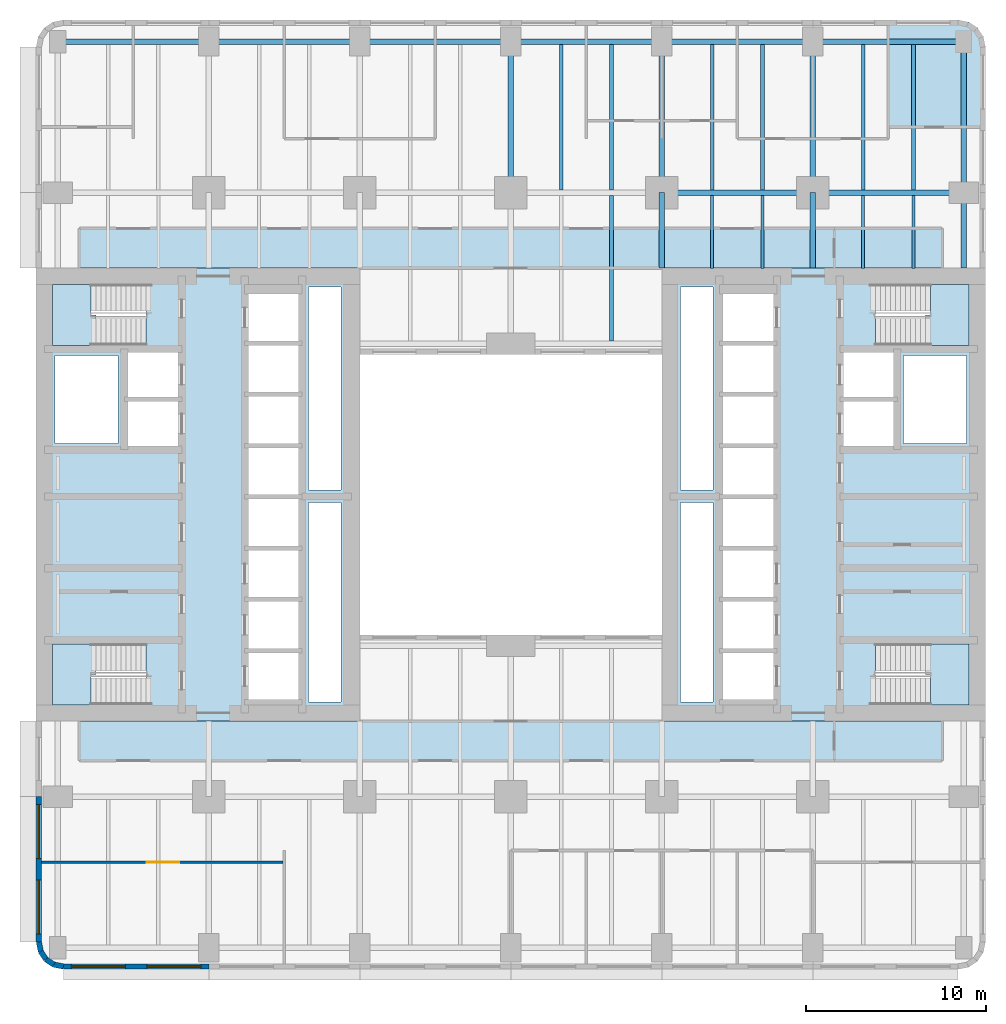
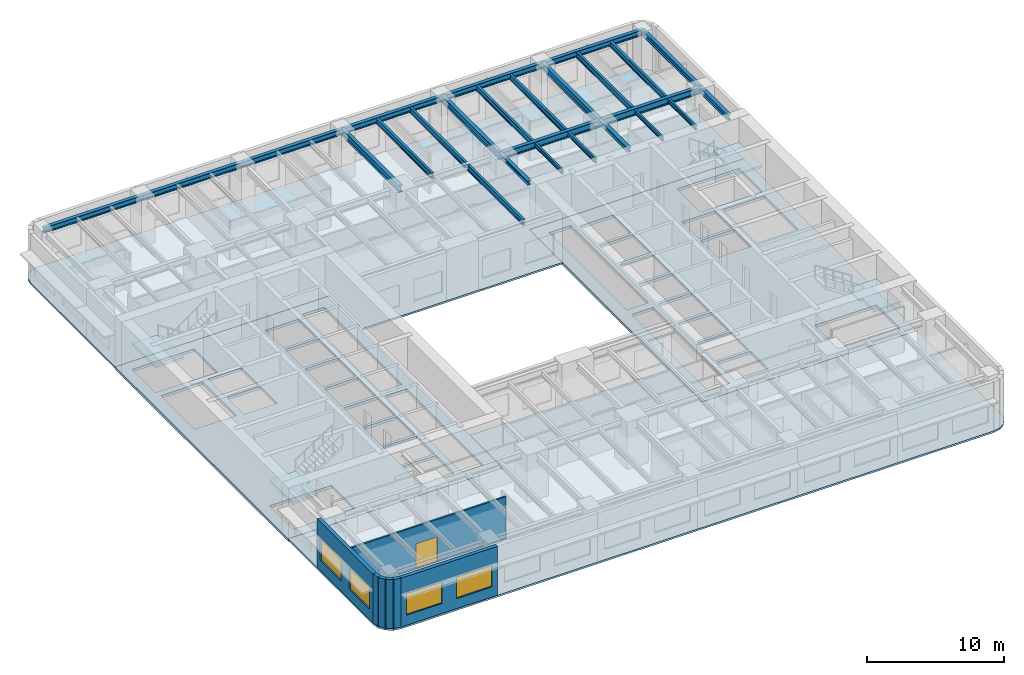
# One storey, part 2 of 14: 26 beams, 8 slabs, 7 walls, 4 windows, 1 door, 5 openings, 4 elements without a shape of their own.
"""IFC4 building model written with IfcOpenShell, lengths in metres."""

import ifcopenshell
import ifcopenshell.guid

model = None  # the IFC model being written
_history = None  # IfcOwnerHistory: only IFC2X3 demands one
_inside = {}  # id of a spatial element -> (the spatial element, [elements in it])
_under = {}  # id of a project, library or spatial element -> (it, [spatial elements below it])
_declared = {}  # id of a project -> (the project, [libraries it declares])
_typed = {}  # id of a type object -> (the type object, [elements of that type])
_made_of = {}  # id of a material, layer set ... -> (it, [elements and type objects made of it])


def new_model(schema):
    """Start an empty IFC model of exactly this schema.

    Asked for "IFC4X3", IfcOpenShell would pick the latest addendum, in which some entities
    have other attributes; the version numbers below select the first issue.
    IFC2X3 requires an IfcOwnerHistory on every rooted entity: one is made here for all.
    """
    global model, _history
    if schema == "IFC4X3":
        model = ifcopenshell.file(schema_version=(4, 3, 0, 0))
    else:
        model = ifcopenshell.file(schema=schema)
    _inside.clear()
    _under.clear()
    _declared.clear()
    _typed.clear()
    _made_of.clear()
    _history = None
    if model.schema == "IFC2X3":
        org = make("IfcOrganization", Name="unknown")
        user = make(
            "IfcPersonAndOrganization",
            ThePerson=make("IfcPerson", FamilyName="unknown"),
            TheOrganization=org,
        )
        app = make(
            "IfcApplication",
            ApplicationDeveloper=org,
            Version="unknown",
            ApplicationFullName="unknown",
            ApplicationIdentifier="unknown",
        )
        _history = make(
            "IfcOwnerHistory",
            OwningUser=user,
            OwningApplication=app,
            ChangeAction="ADDED",
            CreationDate=0,
        )
    return model


def make(cls, **values):
    """One entity of the class cls with the attributes given. An attribute that is None is left unset."""
    return model.create_entity(
        cls, **{name: value for name, value in values.items() if value is not None}
    )


def rooted(cls, **values):
    """An entity with a GlobalId (a new one), such as an element, a storey or a relation."""
    return make(cls, GlobalId=ifcopenshell.guid.new(), OwnerHistory=_history, **values)


def si_unit(unit_type, name, prefix=None):
    """IfcSIUnit, for example si_unit("LENGTHUNIT", "METRE", prefix="MILLI")."""
    return make("IfcSIUnit", UnitType=unit_type, Prefix=prefix, Name=name)


def assignment(units):
    """IfcUnitAssignment: the units of a project."""
    return None if units is None else make("IfcUnitAssignment", Units=units)


def point(xyz):
    """IfcCartesianPoint."""
    return None if xyz is None else make("IfcCartesianPoint", Coordinates=xyz)


def direction(xyz):
    """IfcDirection."""
    return None if xyz is None else make("IfcDirection", DirectionRatios=xyz)


def frame(location, z_axis=None, x_axis=None):
    """IfcAxis2Placement3D, a coordinate frame: its origin and axes. An axis left out is left unset."""
    return make(
        "IfcAxis2Placement3D",
        Location=point(location),
        Axis=direction(z_axis),
        RefDirection=direction(x_axis),
    )


def frame_2d(location, x_axis=None):
    """IfcAxis2Placement2D, a coordinate frame in the plane: its origin and x axis."""
    return make(
        "IfcAxis2Placement2D", Location=point(location), RefDirection=direction(x_axis)
    )


def origin():
    """The frame at (0, 0, 0) with its axes left unset."""
    return frame((0.0, 0.0, 0.0))


def origin_2d():
    """The frame at (0, 0) in the plane with its x axis left unset."""
    return frame_2d((0.0, 0.0))


def place(relative_to, where):
    """IfcLocalPlacement: puts the frame where relative to a parent placement (None: the world)."""
    return make(
        "IfcLocalPlacement", PlacementRelTo=relative_to, RelativePlacement=where
    )


def context(
    kind, dimensions, precision=None, world=None, true_north=None, identifier=None
):
    """IfcGeometricRepresentationContext, for example the 3D "Model" context."""
    return make(
        "IfcGeometricRepresentationContext",
        ContextIdentifier=identifier,
        ContextType=kind,
        CoordinateSpaceDimension=dimensions,
        Precision=precision,
        WorldCoordinateSystem=world,
        TrueNorth=true_north,
    )


def subcontext(parent, identifier, kind, view, scale=None):
    """IfcGeometricRepresentationSubContext, for example "Body" below "Model"."""
    return make(
        "IfcGeometricRepresentationSubContext",
        ContextIdentifier=identifier,
        ContextType=kind,
        ParentContext=parent,
        TargetScale=scale,
        TargetView=view,
    )


def project(units=None, contexts=None):
    """IfcProject with its units and contexts."""
    return rooted(
        "IfcProject",
        Name="project",
        RepresentationContexts=contexts,
        UnitsInContext=assignment(units),
    )


def spatial(cls, under=None, at=None, **own):
    """A site, building, storey or space (cls), placed at a placement, below another one or the project."""
    s = rooted(cls, ObjectPlacement=at, **own)
    if under is not None:
        _under.setdefault(under.id(), (under, []))[1].append(s)
    return s


def polyline(points):
    """IfcPolyline through the points."""
    return make("IfcPolyline", Points=[point(p) for p in points])


def profile(cls, at=None, kind="AREA", **sizes):
    """A parametric profile (cls). Its sizes go by their IFC names, for example OverallWidth=200.0."""
    return make(cls, ProfileType=kind, Position=at, **sizes)


def rectangle(**sizes):
    """IfcRectangleProfileDef."""
    return profile("IfcRectangleProfileDef", **sizes)


def i_section(**sizes):
    """IfcIShapeProfileDef."""
    return profile("IfcIShapeProfileDef", **sizes)


def outline(outer, holes=None, kind="AREA"):
    """IfcArbitraryClosedProfileDef: a profile drawn as a closed curve; with holes, ...WithVoids."""
    if holes is None:
        return make("IfcArbitraryClosedProfileDef", ProfileType=kind, OuterCurve=outer)
    return make(
        "IfcArbitraryProfileDefWithVoids",
        ProfileType=kind,
        OuterCurve=outer,
        InnerCurves=holes,
    )


def extrude(swept, where, along, depth):
    """IfcExtrudedAreaSolid: the profile swept, set in the frame where, extruded along a direction by depth."""
    return make(
        "IfcExtrudedAreaSolid",
        SweptArea=swept,
        Position=where,
        ExtrudedDirection=direction(along),
        Depth=depth,
    )


def shape(context_of_items, identifier, shape_type, items):
    """IfcShapeRepresentation: the items that make up one representation, for example the "Body"."""
    return make(
        "IfcShapeRepresentation",
        ContextOfItems=context_of_items,
        RepresentationIdentifier=identifier,
        RepresentationType=shape_type,
        Items=items,
    )


def material(Name=None, Category=None):
    """IfcMaterial."""
    return make("IfcMaterial", Name=Name, Category=Category)


def layer(
    of_material, thickness, ventilated=None, Name=None, Category=None, Priority=None
):
    """IfcMaterialLayer: one layer of a wall or slab, of a material (None: an air gap)."""
    return make(
        "IfcMaterialLayer",
        Material=of_material,
        LayerThickness=thickness,
        IsVentilated=ventilated,
        Name=Name,
        Category=Category,
        Priority=Priority,
    )


def layer_set(layers, Name=None):
    """IfcMaterialLayerSet."""
    return make("IfcMaterialLayerSet", MaterialLayers=layers, LayerSetName=Name)


def material_profile(
    of_material, cross_section, Name=None, Category=None, Priority=None
):
    """IfcMaterialProfile: a cross section and its material."""
    return make(
        "IfcMaterialProfile",
        Name=Name,
        Material=of_material,
        Profile=cross_section,
        Priority=Priority,
        Category=Category,
    )


def profile_set(profiles, Name=None, composite=None):
    """IfcMaterialProfileSet."""
    return make(
        "IfcMaterialProfileSet",
        Name=Name,
        MaterialProfiles=profiles,
        CompositeProfile=composite,
    )


def made_of(thing, what):
    """Note that an element or type object is made of a material, layer set ...; save() writes the relation."""
    if what is not None:
        _made_of.setdefault(what.id(), (what, []))[1].append(thing)
    return thing


def type_object(cls, material=None, **own):
    """A type object (cls), such as IfcWallType, which elements share."""
    return made_of(rooted(cls, **own), material)


def element(
    cls,
    number,
    at=None,
    inside=None,
    cuts=None,
    type_object=None,
    material=None,
    context=None,
    identifier="Body",
    shape_type=None,
    held_by="IfcProductDefinitionShape",
    body=None,
    shapes=None,
    **own,
):
    """One element of the class cls, such as IfcWall. Its Tag is "e" and its number.

    at: its placement. inside: the storey or other place that contains it. cuts: it is an
    opening in that element (IfcRelVoidsElement). A single representation is given by context,
    identifier, shape_type and body (its items); several are given by shapes. held_by: the class
    of the entity that holds the representations. save() writes the other relations.
    """
    e = rooted(cls, Tag="e%d" % number, ObjectPlacement=at, **own)
    if body is not None:
        shapes = [shape(context, identifier, shape_type, body)]
    if shapes is not None:
        e.Representation = make(held_by, Representations=shapes)
    if inside is not None:
        _inside.setdefault(inside.id(), (inside, []))[1].append(e)
    if cuts is not None:
        rooted(
            "IfcRelVoidsElement", RelatingBuildingElement=cuts, RelatedOpeningElement=e
        )
    if type_object is not None:
        _typed.setdefault(type_object.id(), (type_object, []))[1].append(e)
    return made_of(e, material)


def fill(opening, filler):
    """IfcRelFillsElement: the door or window that sits in an opening."""
    return rooted(
        "IfcRelFillsElement",
        RelatingOpeningElement=opening,
        RelatedBuildingElement=filler,
    )


def aggregate(whole, parts):
    """IfcRelAggregates: a whole, such as a stair, and the parts it consists of."""
    return rooted("IfcRelAggregates", RelatingObject=whole, RelatedObjects=parts)


def save(model, path):
    """Write the relations noted so far, then the file.

    IfcRelAggregates (storeys below a building ...), IfcRelContainedInSpatialStructure (elements
    in a storey), IfcRelDefinesByType, IfcRelAssociatesMaterial and IfcRelDeclares: one each for
    every whole, place, type object, material and project.
    """
    for whole, parts in _under.values():
        aggregate(whole, parts)
    for where, things in _inside.values():
        rooted(
            "IfcRelContainedInSpatialStructure",
            RelatedElements=things,
            RelatingStructure=where,
        )
    for kind, things in _typed.values():
        rooted("IfcRelDefinesByType", RelatedObjects=things, RelatingType=kind)
    for what, things in _made_of.values():
        rooted("IfcRelAssociatesMaterial", RelatedObjects=things, RelatingMaterial=what)
    for by, libraries in _declared.values():
        rooted("IfcRelDeclares", RelatingContext=by, RelatedDefinitions=libraries)
    model.write(path)


model = new_model("IFC4")

# Units and contexts
model_context = context("Model", 3, precision=1e-05, world=origin(), true_north=direction((0.0, 1.0)))
body_context = subcontext(model_context, "Body", "Model", "MODEL_VIEW")
ifc_project = project(units=[si_unit("LENGTHUNIT", "METRE"), si_unit("AREAUNIT", "SQUARE_METRE"), si_unit("VOLUMEUNIT", "CUBIC_METRE"), si_unit("PLANEANGLEUNIT", "RADIAN"), si_unit("MASSUNIT", "GRAM", prefix="KILO")], contexts=[model_context])

# Site, building, storey
site_placement = place(None, origin())
site = spatial("IfcSite", under=ifc_project, at=site_placement, CompositionType="ELEMENT")
building_placement = place(site_placement, origin())
building = spatial("IfcBuilding", under=site, at=building_placement, Name="Claustro Exchange Tower", CompositionType="ELEMENT")
storey_placement = place(building_placement, frame((0.0, 0.0, 36.89990234375)))
storey = spatial("IfcBuildingStorey", under=building, at=storey_placement, Name="L08", CompositionType="ELEMENT", Elevation=36.89990234375)

# Beams
ifc_material_1 = material(Name="Steel S355", Category="steel")
ifc_material_profile_1 = material_profile(ifc_material_1, i_section(OverallWidth=0.300048828125, OverallDepth=0.60009765625, WebThickness=0.015380859375, FlangeThickness=0.030029296875, FilletRadius=0.027099609375, at=origin_2d()), Name="HE 600 B")
ifc_profile_set_1 = profile_set([ifc_material_profile_1], Name="Steel S355")
beam_type_1 = type_object("IfcBeamType", Name="B1 HE 600 B floor girder", PredefinedType="BEAM", material=ifc_profile_set_1)
for number, where, z_axis, x_axis, name in (
    (1, (25.199951171875, 42.0, 4.0400390625), (0.0, 1.0, 0.0), (-1.0, 0.0, 0.0), "Beam B1 L09"),
    (2, (33.60009765625, 42.0, 4.0400390625), (0.0, 1.0, 0.0), (-1.0, 0.0, 0.0), "Beam B1 L09"),
    (3, (42.0, 42.0, 4.0400390625), (0.0, 1.0, 0.0), (-1.0, 0.0, 0.0), "Beam B1 L09"),
    (4, (33.60009765625, 42.0, 4.0400390625), (1.0, 0.0, 0.0), (0.0, 1.0, 0.0), "Beam B1 L09"),
    (5, (42.0, 42.0, 4.0400390625), (1.0, 0.0, 0.0), (0.0, 1.0, 0.0), "Beam B1 L09"),
):
    element("IfcBeam", number, at=place(storey_placement, frame(where, z_axis=z_axis, x_axis=x_axis)), inside=storey, type_object=beam_type_1, Name=name, PredefinedType="BEAM", context=body_context, shape_type="SweptSolid", body=[
        extrude(i_section(OverallWidth=0.300048828125, OverallDepth=0.60009765625, WebThickness=0.015380859375, FlangeThickness=0.030029296875, FilletRadius=0.027099609375, at=origin_2d()), origin(), (0.0, 0.0, 1.0), 8.39990234375),
    ])
ifc_material_2 = material(Name="Steel S355", Category="steel")
ifc_material_profile_2 = material_profile(ifc_material_2, i_section(OverallWidth=0.169921875, OverallDepth=0.360107421875, WebThickness=0.008056640625, FlangeThickness=0.0126953125, FilletRadius=0.01806640625, at=origin_2d()), Name="IPE 360")
ifc_profile_set_2 = profile_set([ifc_material_profile_2], Name="Steel S355")
beam_type_2 = type_object("IfcBeamType", Name="B16 IPE 360 short-span beam", PredefinedType="BEAM", material=ifc_profile_set_2)
for number, where, z_axis, x_axis, name in (
    (6, (36.39990234375, 37.7900390625, 4.16015625), (0.0, 1.0, 0.0), (-1.0, 0.0, 0.0), "Beam B16 L09"),
    (7, (39.199951171875, 37.7900390625, 4.16015625), (0.0, 1.0, 0.0), (-1.0, 0.0, 0.0), "Beam B16 L09"),
    (8, (44.800048828125, 37.7900390625, 4.16015625), (0.0, 1.0, 0.0), (-1.0, 0.0, 0.0), "Beam B16 L09"),
    (9, (47.60009765625, 37.7900390625, 4.16015625), (0.0, 1.0, 0.0), (-1.0, 0.0, 0.0), "Beam B16 L09"),
):
    element("IfcBeam", number, at=place(storey_placement, frame(where, z_axis=z_axis, x_axis=x_axis)), inside=storey, type_object=beam_type_2, Name=name, PredefinedType="BEAM", context=body_context, shape_type="SweptSolid", body=[
        extrude(i_section(OverallWidth=0.169921875, OverallDepth=0.360107421875, WebThickness=0.008056640625, FlangeThickness=0.0126953125, FilletRadius=0.01806640625, at=origin_2d()), origin(), (0.0, 0.0, 1.0), 4.06005859375),
    ])
ifc_material_3 = material(Name="Steel S355", Category="steel")
ifc_material_profile_3 = material_profile(ifc_material_3, i_section(OverallWidth=0.199951171875, OverallDepth=0.5, WebThickness=0.01025390625, FlangeThickness=0.01611328125, FilletRadius=0.02099609375, at=origin_2d()), Name="IPE 500")
ifc_profile_set_3 = profile_set([ifc_material_profile_3], Name="Steel S355")
beam_type_3 = type_object("IfcBeamType", Name="B2 IPE 500 secondary beam", PredefinedType="BEAM", material=ifc_profile_set_3)
for number, where, z_axis, x_axis, name in (
    (10, (30.800048828125, 33.75, 4.090087890625), (0.0, 1.0, 0.0), (-1.0, 0.0, 0.0), "Beam B2 L09"),
    (11, (28.0, 42.14990234375, 4.090087890625), (0.0, 1.0, 0.0), (-1.0, 0.0, 0.0), "Beam B2 L09"),
    (12, (30.800048828125, 42.14990234375, 4.090087890625), (0.0, 1.0, 0.0), (-1.0, 0.0, 0.0), "Beam B2 L09"),
    (13, (36.39990234375, 42.14990234375, 4.090087890625), (0.0, 1.0, 0.0), (-1.0, 0.0, 0.0), "Beam B2 L09"),
    (14, (39.199951171875, 42.14990234375, 4.090087890625), (0.0, 1.0, 0.0), (-1.0, 0.0, 0.0), "Beam B2 L09"),
    (15, (44.800048828125, 42.14990234375, 4.090087890625), (0.0, 1.0, 0.0), (-1.0, 0.0, 0.0), "Beam B2 L09"),
    (16, (47.60009765625, 42.14990234375, 4.090087890625), (0.0, 1.0, 0.0), (-1.0, 0.0, 0.0), "Beam B2 L09"),
):
    element("IfcBeam", number, at=place(storey_placement, frame(where, z_axis=z_axis, x_axis=x_axis)), inside=storey, type_object=beam_type_3, Name=name, PredefinedType="BEAM", context=body_context, shape_type="SweptSolid", body=[
        extrude(i_section(OverallWidth=0.199951171875, OverallDepth=0.5, WebThickness=0.01025390625, FlangeThickness=0.01611328125, FilletRadius=0.02099609375, at=origin_2d()), origin(), (0.0, 0.0, 1.0), 8.10009765625),
    ])
ifc_material_4 = material(Name="Steel S355", Category="steel")
ifc_material_profile_4 = material_profile(ifc_material_4, i_section(OverallWidth=0.300048828125, OverallDepth=0.360107421875, WebThickness=0.012451171875, FlangeThickness=0.0224609375, FilletRadius=0.027099609375, at=origin_2d()), Name="HE 360 B")
ifc_profile_set_4 = profile_set([ifc_material_profile_4], Name="Steel S355")
beam_type_4 = type_object("IfcBeamType", Name="B29 HE 360 B column to core link beam", PredefinedType="BEAM", material=ifc_profile_set_4)
for number, where, z_axis, x_axis, name in (
    (17, (33.60009765625, 37.800048828125, 4.16015625), (0.0, 1.0, 0.0), (-1.0, 0.0, 0.0), "Beam B29 L09"),
    (18, (42.0, 37.800048828125, 4.16015625), (0.0, 1.0, 0.0), (-1.0, 0.0, 0.0), "Beam B29 L09"),
):
    element("IfcBeam", number, at=place(storey_placement, frame(where, z_axis=z_axis, x_axis=x_axis)), inside=storey, type_object=beam_type_4, Name=name, PredefinedType="BEAM", context=body_context, shape_type="SweptSolid", body=[
        extrude(i_section(OverallWidth=0.300048828125, OverallDepth=0.360107421875, WebThickness=0.012451171875, FlangeThickness=0.0224609375, FilletRadius=0.027099609375, at=origin_2d()), origin(), (0.0, 0.0, 1.0), 4.199951171875),
    ])
ifc_material_5 = material(Name="Steel S355", Category="steel")
ifc_material_profile_5 = material_profile(ifc_material_5, i_section(OverallWidth=0.300048828125, OverallDepth=0.5, WebThickness=0.014404296875, FlangeThickness=0.028076171875, FilletRadius=0.027099609375, at=origin_2d()), Name="HE 500 B")
ifc_profile_set_5 = profile_set([ifc_material_profile_5], Name="Steel S355")
beam_type_5 = type_object("IfcBeamType", Name="B3 HE 500 B spandrel edge girder", PredefinedType="SPANDREL", material=ifc_profile_set_5)
beam_1_placement = place(storey_placement, frame((50.39990234375, 37.800048828125, 4.090087890625), z_axis=(0.0, 1.0, 0.0), x_axis=(-1.0, 0.0, 0.0)))
element("IfcBeam", 19, at=beam_1_placement, inside=storey, type_object=beam_type_5, Name="Beam B3 L09", PredefinedType="SPANDREL", context=body_context, shape_type="SweptSolid", body=[
    extrude(i_section(OverallWidth=0.300048828125, OverallDepth=0.5, WebThickness=0.014404296875, FlangeThickness=0.028076171875, FilletRadius=0.027099609375, at=origin_2d()), origin(), (0.0, 0.0, 1.0), 4.199951171875),
])
for number, where, z_axis, x_axis, name in (
    (20, (50.39990234375, 42.0, 4.090087890625), (0.0, 1.0, 0.0), (-1.0, 0.0, 0.0), "Beam B3 L09"),
    (21, (0.0, 50.39990234375, 4.090087890625), (1.0, 0.0, 0.0), (0.0, 1.0, 0.0), "Beam B3 L09"),
):
    element("IfcBeam", number, at=place(storey_placement, frame(where, z_axis=z_axis, x_axis=x_axis)), inside=storey, type_object=beam_type_5, Name=name, PredefinedType="SPANDREL", context=body_context, shape_type="SweptSolid", body=[
        extrude(i_section(OverallWidth=0.300048828125, OverallDepth=0.5, WebThickness=0.014404296875, FlangeThickness=0.028076171875, FilletRadius=0.027099609375, at=origin_2d()), origin(), (0.0, 0.0, 1.0), 8.39990234375),
    ])
beam_2_placement = place(storey_placement, frame((8.39990234375, 50.39990234375, 4.090087890625), z_axis=(1.0, 0.0, 0.0), x_axis=(0.0, 1.0, 0.0)))
element("IfcBeam", 22, at=beam_2_placement, inside=storey, type_object=beam_type_5, Name="Beam B3 L09", PredefinedType="SPANDREL", context=body_context, shape_type="SweptSolid", body=[
    extrude(i_section(OverallWidth=0.300048828125, OverallDepth=0.5, WebThickness=0.014404296875, FlangeThickness=0.028076171875, FilletRadius=0.027099609375, at=origin_2d()), origin(), (0.0, 0.0, 1.0), 8.400146484375),
])
beam_3_placement = place(storey_placement, frame((16.800048828125, 50.39990234375, 4.090087890625), z_axis=(1.0, 0.0, 0.0), x_axis=(0.0, 1.0, 0.0)))
element("IfcBeam", 23, at=beam_3_placement, inside=storey, type_object=beam_type_5, Name="Beam B3 L09", PredefinedType="SPANDREL", context=body_context, shape_type="SweptSolid", body=[
    extrude(i_section(OverallWidth=0.300048828125, OverallDepth=0.5, WebThickness=0.014404296875, FlangeThickness=0.028076171875, FilletRadius=0.027099609375, at=origin_2d()), origin(), (0.0, 0.0, 1.0), 8.39990234375),
])
beam_4_placement = place(storey_placement, frame((25.199951171875, 50.39990234375, 4.090087890625), z_axis=(1.0, 0.0, 0.0), x_axis=(0.0, 1.0, 0.0)))
element("IfcBeam", 24, at=beam_4_placement, inside=storey, type_object=beam_type_5, Name="Beam B3 L09", PredefinedType="SPANDREL", context=body_context, shape_type="SweptSolid", body=[
    extrude(i_section(OverallWidth=0.300048828125, OverallDepth=0.5, WebThickness=0.014404296875, FlangeThickness=0.028076171875, FilletRadius=0.027099609375, at=origin_2d()), origin(), (0.0, 0.0, 1.0), 8.400146484375),
])
for number, where, z_axis, x_axis, name in (
    (25, (33.60009765625, 50.39990234375, 4.090087890625), (1.0, 0.0, 0.0), (0.0, 1.0, 0.0), "Beam B3 L09"),
    (26, (42.0, 50.39990234375, 4.090087890625), (1.0, 0.0, 0.0), (0.0, 1.0, 0.0), "Beam B3 L09"),
):
    element("IfcBeam", number, at=place(storey_placement, frame(where, z_axis=z_axis, x_axis=x_axis)), inside=storey, type_object=beam_type_5, Name=name, PredefinedType="SPANDREL", context=body_context, shape_type="SweptSolid", body=[
        extrude(i_section(OverallWidth=0.300048828125, OverallDepth=0.5, WebThickness=0.014404296875, FlangeThickness=0.028076171875, FilletRadius=0.027099609375, at=origin_2d()), origin(), (0.0, 0.0, 1.0), 8.39990234375),
    ])

# Slabs
ifc_material_6 = material(Name="Concrete HA-50 (C50/60)", Category="concrete")
ifc_layer_1 = layer(ifc_material_6, 0.159912109375)
ifc_layer_set_1 = layer_set([ifc_layer_1], Name="Concrete HA-50 (C50/60)")
slab_type_1 = type_object("IfcSlabType", Name="S1 160 composite floor slab", PredefinedType="FLOOR", material=ifc_layer_set_1)
slab_1_placement = place(storey_placement, frame((0.0, 0.0, -0.159912109375)))
element("IfcSlab", 27, at=slab_1_placement, inside=storey, type_object=slab_type_1, Name="Floor slab S1 S L08", PredefinedType="FLOOR", context=body_context, shape_type="SweptSolid", body=[
    extrude(outline(polyline([(-0.27392578125, -1.085693359375), (0.300048828125, -1.199951171875), (50.10009765625, -1.199951171875), (50.674072265625, -1.085693359375), (51.16064453125, -0.7607421875), (51.48583984375, -0.27392578125), (51.60009765625, 0.300048828125), (51.60009765625, 12.60009765625), (33.60009765625, 12.60009765625), (33.60009765625, 17.39990234375), (16.800048828125, 17.39990234375), (16.800048828125, 12.60009765625), (-1.199951171875, 12.60009765625), (-1.199951171875, 0.300048828125), (-1.085693359375, -0.27392578125), (-0.7607421875, -0.7607421875), (-0.27392578125, -1.085693359375)])), origin(), (0.0, 0.0, 1.0), 0.159912109375),
])
slab_2_placement = place(storey_placement, frame((0.0, 0.0, -0.159912109375)))
element("IfcSlab", 28, at=slab_2_placement, inside=storey, type_object=slab_type_1, Name="Floor slab S1 N L08", PredefinedType="FLOOR", context=body_context, shape_type="SweptSolid", body=[
    extrude(outline(polyline([(16.800048828125, 37.800048828125), (16.800048828125, 33.0), (33.60009765625, 33.0), (33.60009765625, 37.800048828125), (51.60009765625, 37.800048828125), (51.60009765625, 50.10009765625), (51.48583984375, 50.674072265625), (51.16064453125, 51.16064453125), (50.674072265625, 51.48583984375), (50.10009765625, 51.60009765625), (0.300048828125, 51.60009765625), (-0.27392578125, 51.48583984375), (-0.7607421875, 51.16064453125), (-1.085693359375, 50.674072265625), (-1.199951171875, 50.10009765625), (-1.199951171875, 37.800048828125), (16.800048828125, 37.800048828125)])), origin(), (0.0, 0.0, 1.0), 0.159912109375),
])
ifc_material_7 = material(Name="Concrete HA-50 (C50/60)", Category="concrete")
ifc_layer_2 = layer(ifc_material_7, 0.25)
ifc_layer_set_2 = layer_set([ifc_layer_2], Name="Concrete HA-50 (C50/60)")
slab_type_2 = type_object("IfcSlabType", Name="S7 250 core floor slab", PredefinedType="FLOOR", material=ifc_layer_set_2)
slab_3_placement = place(storey_placement, frame((0.0, 0.0, -0.25)))
element("IfcSlab", 29, at=slab_3_placement, inside=storey, type_object=slab_type_2, Name="Core floor slab S7 W core L08", PredefinedType="FLOOR", context=body_context, shape_type="SweptSolid", body=[
    extrude(outline(polyline([(-1.199951171875, 12.60009765625), (16.800048828125, 12.60009765625), (16.800048828125, 37.800048828125), (-1.199951171875, 37.800048828125), (-1.199951171875, 12.60009765625)]), holes=[polyline([(15.75, 24.75), (15.75, 13.64990234375), (13.949951171875, 13.64990234375), (13.949951171875, 24.75), (15.75, 24.75)]), polyline([(15.75, 36.75), (15.75, 25.449951171875), (13.949951171875, 25.449951171875), (13.949951171875, 36.75), (15.75, 36.75)]), polyline([(10.60009765625, 16.39990234375), (13.39990234375, 16.39990234375), (13.39990234375, 13.800048828125), (10.60009765625, 13.800048828125), (10.60009765625, 16.39990234375)]), polyline([(13.39990234375, 19.25), (13.39990234375, 16.64990234375), (10.60009765625, 16.64990234375), (10.60009765625, 19.25), (13.39990234375, 19.25)]), polyline([(13.39990234375, 22.10009765625), (13.39990234375, 19.5), (10.60009765625, 19.5), (10.60009765625, 22.10009765625), (13.39990234375, 22.10009765625)]), polyline([(13.39990234375, 24.949951171875), (13.39990234375, 22.35009765625), (10.60009765625, 22.35009765625), (10.60009765625, 24.949951171875), (13.39990234375, 24.949951171875)]), polyline([(13.39990234375, 27.800048828125), (13.39990234375, 25.199951171875), (10.60009765625, 25.199951171875), (10.60009765625, 27.800048828125), (13.39990234375, 27.800048828125)]), polyline([(13.39990234375, 30.64990234375), (13.39990234375, 28.050048828125), (10.60009765625, 28.050048828125), (10.60009765625, 30.64990234375), (13.39990234375, 30.64990234375)]), polyline([(13.39990234375, 33.5), (13.39990234375, 30.89990234375), (10.60009765625, 30.89990234375), (10.60009765625, 33.5), (13.39990234375, 33.5)]), polyline([(13.39990234375, 36.35009765625), (13.39990234375, 33.75), (10.60009765625, 33.75), (10.60009765625, 36.35009765625), (13.39990234375, 36.35009765625)]), polyline([(6.699951171875, 30.375), (6.699951171875, 27.89990234375), (3.89990234375, 27.89990234375), (3.89990234375, 30.375), (6.699951171875, 30.375)]), polyline([(6.699951171875, 33.10009765625), (6.699951171875, 30.625), (3.89990234375, 30.625), (3.89990234375, 33.10009765625), (6.699951171875, 33.10009765625)]), polyline([(-0.300048828125, 15.199951171875), (-0.300048828125, 16.89990234375), (4.9150390625, 16.89990234375), (4.9150390625, 15.199951171875), (4.919921875, 15.199951171875), (4.919921875, 13.5), (-0.300048828125, 13.5), (-0.300048828125, 15.199951171875)]), polyline([(-0.300048828125, 36.89990234375), (4.919921875, 36.89990234375), (4.919921875, 35.199951171875), (4.9150390625, 35.199951171875), (4.9150390625, 33.5), (-0.300048828125, 33.5), (-0.300048828125, 35.199951171875), (-0.300048828125, 36.89990234375)]), polyline([(3.35009765625, 32.949951171875), (3.35009765625, 28.050048828125), (-0.14990234375, 28.050048828125), (-0.14990234375, 32.949951171875), (3.35009765625, 32.949951171875)])]), origin(), (0.0, 0.0, 1.0), 0.25),
])
slab_4_placement = place(storey_placement, frame((0.0, 0.0, -0.25)))
element("IfcSlab", 30, at=slab_4_placement, inside=storey, type_object=slab_type_2, Name="Core floor slab S7 E core L08", PredefinedType="FLOOR", context=body_context, shape_type="SweptSolid", body=[
    extrude(outline(polyline([(33.60009765625, 12.60009765625), (51.60009765625, 12.60009765625), (51.60009765625, 37.800048828125), (33.60009765625, 37.800048828125), (33.60009765625, 12.60009765625)]), holes=[polyline([(45.47998046875, 35.199951171875), (45.47998046875, 36.89990234375), (50.699951171875, 36.89990234375), (50.699951171875, 35.199951171875), (50.699951171875, 33.5), (45.485107421875, 33.5), (45.485107421875, 35.199951171875), (45.47998046875, 35.199951171875)]), polyline([(45.485107421875, 15.199951171875), (45.485107421875, 16.89990234375), (50.699951171875, 16.89990234375), (50.699951171875, 15.199951171875), (50.699951171875, 13.5), (45.47998046875, 13.5), (45.47998046875, 15.199951171875), (45.485107421875, 15.199951171875)]), polyline([(50.550048828125, 32.949951171875), (50.550048828125, 28.050048828125), (47.050048828125, 28.050048828125), (47.050048828125, 32.949951171875), (50.550048828125, 32.949951171875)]), polyline([(46.5, 30.375), (46.5, 27.89990234375), (43.699951171875, 27.89990234375), (43.699951171875, 30.375), (46.5, 30.375)]), polyline([(46.5, 33.10009765625), (46.5, 30.625), (43.699951171875, 30.625), (43.699951171875, 33.10009765625), (46.5, 33.10009765625)]), polyline([(37.0, 16.39990234375), (39.800048828125, 16.39990234375), (39.800048828125, 13.800048828125), (37.0, 13.800048828125), (37.0, 16.39990234375)]), polyline([(39.800048828125, 19.25), (39.800048828125, 16.64990234375), (37.0, 16.64990234375), (37.0, 19.25), (39.800048828125, 19.25)]), polyline([(39.800048828125, 22.10009765625), (39.800048828125, 19.5), (37.0, 19.5), (37.0, 22.10009765625), (39.800048828125, 22.10009765625)]), polyline([(39.800048828125, 24.949951171875), (39.800048828125, 22.35009765625), (37.0, 22.35009765625), (37.0, 24.949951171875), (39.800048828125, 24.949951171875)]), polyline([(39.800048828125, 27.800048828125), (39.800048828125, 25.199951171875), (37.0, 25.199951171875), (37.0, 27.800048828125), (39.800048828125, 27.800048828125)]), polyline([(39.800048828125, 30.64990234375), (39.800048828125, 28.050048828125), (37.0, 28.050048828125), (37.0, 30.64990234375), (39.800048828125, 30.64990234375)]), polyline([(39.800048828125, 33.5), (39.800048828125, 30.89990234375), (37.0, 30.89990234375), (37.0, 33.5), (39.800048828125, 33.5)]), polyline([(39.800048828125, 36.35009765625), (39.800048828125, 33.75), (37.0, 33.75), (37.0, 36.35009765625), (39.800048828125, 36.35009765625)]), polyline([(36.449951171875, 24.75), (36.449951171875, 13.64990234375), (34.64990234375, 13.64990234375), (34.64990234375, 24.75), (36.449951171875, 24.75)]), polyline([(36.449951171875, 36.75), (36.449951171875, 25.449951171875), (34.64990234375, 25.449951171875), (34.64990234375, 36.75), (36.449951171875, 36.75)])]), origin(), (0.0, 0.0, 1.0), 0.25),
])

# Stair, slab
ifc_material_8 = material(Name="Concrete HA-30 (C30/37), precast", Category="concrete")
stair_type = type_object("IfcStairType", Name="ST2 half-turn stair, 25 risers of 180", PredefinedType="HALF_TURN_STAIR", material=ifc_material_8)
stair_1_placement = place(storey_placement, origin())
stair_1 = element("IfcStair", 31, at=stair_1_placement, inside=storey, type_object=stair_type, Name="Stair STWA L08", PredefinedType="HALF_TURN_STAIR")
ifc_material_9 = material(Name="Concrete HA-30 (C30/37), precast", Category="concrete")
ifc_layer_3 = layer(ifc_material_9, 0.199951171875)
ifc_layer_set_3 = layer_set([ifc_layer_3], Name="Concrete HA-30 (C30/37), precast")
slab_type_3 = type_object("IfcSlabType", Name="S9 200 stair landing", PredefinedType="LANDING", material=ifc_layer_set_3)
slab_5_placement = place(storey_placement, frame((0.0, 0.0, 2.14013671875)))
slab_5 = element("IfcSlab", 32, at=slab_5_placement, type_object=slab_type_3, Name="STWA landing 1", PredefinedType="LANDING", context=body_context, shape_type="SweptSolid", body=[
    extrude(outline(polyline([(1.844970703125, 13.5), (-0.300048828125, 13.5), (-0.300048828125, 16.89990234375), (1.840087890625, 16.89990234375), (1.844970703125, 16.89990234375), (2.1201171875, 16.89990234375), (2.1201171875, 15.199951171875), (1.844970703125, 15.199951171875), (1.844970703125, 13.5)])), origin(), (0.0, 0.0, 1.0), 0.199951171875),
])
aggregate(stair_1, [slab_5])

stair_2_placement = place(storey_placement, origin())
stair_2 = element("IfcStair", 33, at=stair_2_placement, inside=storey, type_object=stair_type, Name="Stair STWB L08", PredefinedType="HALF_TURN_STAIR")
slab_6_placement = place(storey_placement, frame((0.0, 0.0, 2.14013671875)))
slab_6 = element("IfcSlab", 34, at=slab_6_placement, type_object=slab_type_3, Name="STWB landing 1", PredefinedType="LANDING", context=body_context, shape_type="SweptSolid", body=[
    extrude(outline(polyline([(2.1201171875, 35.199951171875), (2.1201171875, 33.5), (1.844970703125, 33.5), (1.840087890625, 33.5), (-0.300048828125, 33.5), (-0.300048828125, 36.89990234375), (1.844970703125, 36.89990234375), (1.844970703125, 35.199951171875), (2.1201171875, 35.199951171875)])), origin(), (0.0, 0.0, 1.0), 0.199951171875),
])
aggregate(stair_2, [slab_6])

stair_3_placement = place(storey_placement, origin())
stair_3 = element("IfcStair", 35, at=stair_3_placement, inside=storey, type_object=stair_type, Name="Stair STEA L08", PredefinedType="HALF_TURN_STAIR")
slab_7_placement = place(storey_placement, frame((0.0, 0.0, 2.14013671875)))
slab_7 = element("IfcSlab", 36, at=slab_7_placement, type_object=slab_type_3, Name="STEA landing 1", PredefinedType="LANDING", context=body_context, shape_type="SweptSolid", body=[
    extrude(outline(polyline([(50.699951171875, 16.89990234375), (50.699951171875, 13.5), (48.554931640625, 13.5), (48.554931640625, 15.199951171875), (48.280029296875, 15.199951171875), (48.280029296875, 16.89990234375), (48.554931640625, 16.89990234375), (48.56005859375, 16.89990234375), (50.699951171875, 16.89990234375)])), origin(), (0.0, 0.0, 1.0), 0.199951171875),
])
aggregate(stair_3, [slab_7])

stair_4_placement = place(storey_placement, origin())
stair_4 = element("IfcStair", 37, at=stair_4_placement, inside=storey, type_object=stair_type, Name="Stair STEB L08", PredefinedType="HALF_TURN_STAIR")
slab_8_placement = place(storey_placement, frame((0.0, 0.0, 2.14013671875)))
slab_8 = element("IfcSlab", 38, at=slab_8_placement, type_object=slab_type_3, Name="STEB landing 1", PredefinedType="LANDING", context=body_context, shape_type="SweptSolid", body=[
    extrude(outline(polyline([(48.280029296875, 33.5), (48.280029296875, 35.199951171875), (48.554931640625, 35.199951171875), (48.554931640625, 36.89990234375), (50.699951171875, 36.89990234375), (50.699951171875, 33.5), (48.56005859375, 33.5), (48.554931640625, 33.5), (48.280029296875, 33.5)])), origin(), (0.0, 0.0, 1.0), 0.199951171875),
])
aggregate(stair_4, [slab_8])

# Wall, opening, door
ifc_material_10 = material(Name="Gypsum board on steel studs", Category="steel")
ifc_layer_4 = layer(ifc_material_10, 0.14990234375)
ifc_layer_set_4 = layer_set([ifc_layer_4], Name="Gypsum board on steel studs")
wall_type_1 = type_object("IfcWallType", Name="P1 150 plasterboard partition", PredefinedType="PARTITIONING", material=ifc_layer_set_4)
wall_1_placement = place(storey_placement, frame((-0.902099609375, 4.75, 0.0), z_axis=(0.0, 0.0, 1.0), x_axis=(1.0, 0.0, 0.0)))
wall_1 = element("IfcWall", 39, at=wall_1_placement, inside=storey, type_object=wall_type_1, Name="Partition P1 L08", PredefinedType="PARTITIONING", context=body_context, shape_type="SweptSolid", body=[
    extrude(rectangle(XDim=13.427978515625, YDim=0.14990234375, at=frame_2d((6.7138671875, 0.0))), origin(), (0.0, 0.0, 1.0), 3.739990234375),
])
opening_1_placement = place(wall_1_placement, frame((5.85205078125, 0.0, 0.0)))
opening_1 = element("IfcOpeningElement", 40, at=opening_1_placement, cuts=wall_1, Name="Opening D2", PredefinedType="OPENING", context=body_context, shape_type="SweptSolid", body=[
    extrude(rectangle(XDim=1.800048828125, YDim=2.199951171875, at=frame_2d((0.89990234375, 1.10009765625))), frame((0.0, 0.0849609375, 0.0), z_axis=(0.0, -1.0, 0.0), x_axis=(1.0, 0.0, 0.0)), (0.0, 0.0, 1.0), 0.169921875),
])
ifc_material_11 = material(Name="Timber door, oak veneer", Category="wood")
door_type = type_object("IfcDoorType", Name="D2 1800 x 2200 double door", OperationType="DOUBLE_DOOR_SINGLE_SWING", PredefinedType="DOOR", material=ifc_material_11)
door_placement = place(opening_1_placement, origin())
door = element("IfcDoor", 41, at=door_placement, inside=storey, type_object=door_type, Name="Double door D2 L08", OperationType="DOUBLE_DOOR_SINGLE_SWING", OverallHeight=2.199951171875, OverallWidth=1.800048828125, PredefinedType="DOOR", context=body_context, shape_type="SweptSolid", body=[
    extrude(rectangle(XDim=1.800048828125, YDim=2.199951171875, at=frame_2d((0.89990234375, 1.10009765625))), frame((0.0, 0.02490234375, 0.0), z_axis=(0.0, -1.0, 0.0), x_axis=(1.0, 0.0, 0.0)), (0.0, 0.0, 1.0), 0.050048828125),
])
fill(opening_1, door)

# Wall, openings, windows
ifc_material_12 = material(Name="Concrete HA-40 (C40/50), precast, white cement, acid-etched", Category="concrete")
ifc_layer_5 = layer(ifc_material_12, 0.300048828125)
ifc_layer_set_5 = layer_set([ifc_layer_5], Name="Concrete HA-40 (C40/50), precast, white cement, acid-etched")
wall_type_2 = type_object("IfcWallType", Name="PC1 300 precast concrete pier panel", PredefinedType="SOLIDWALL", material=ifc_layer_set_5)
wall_2_placement = place(storey_placement, frame((8.39990234375, -1.050048828125, 0.0), z_axis=(0.0, 0.0, 1.0), x_axis=(-1.0, 0.0, 0.0)))
wall_2 = element("IfcWall", 42, at=wall_2_placement, inside=storey, type_object=wall_type_2, Name="Precast pier panel PC1 L08", PredefinedType="SOLIDWALL", context=body_context, shape_type="SweptSolid", body=[
    extrude(rectangle(XDim=8.085205078125, YDim=0.300048828125, at=frame_2d((4.04248046875, 0.0))), origin(), (0.0, 0.0, 1.0), 4.340087890625),
])
opening_2_placement = place(wall_2_placement, frame((0.442626953125, 0.0, 0.89990234375)))
opening_2 = element("IfcOpeningElement", 43, at=opening_2_placement, cuts=wall_2, Name="Opening W1", PredefinedType="OPENING", context=body_context, shape_type="SweptSolid", body=[
    extrude(rectangle(XDim=3.0, YDim=1.89990234375, at=frame_2d((1.5, 0.949951171875))), frame((0.0, 0.159912109375, 0.0), z_axis=(0.0, -1.0, 0.0), x_axis=(1.0, 0.0, 0.0)), (0.0, 0.0, 1.0), 0.320068359375),
])
opening_3_placement = place(wall_2_placement, frame((4.642578125, 0.0, 0.89990234375)))
opening_3 = element("IfcOpeningElement", 44, at=opening_3_placement, cuts=wall_2, Name="Opening W1", PredefinedType="OPENING", context=body_context, shape_type="SweptSolid", body=[
    extrude(rectangle(XDim=3.0, YDim=1.89990234375, at=frame_2d((1.5, 0.949951171875))), frame((0.0, 0.159912109375, 0.0), z_axis=(0.0, -1.0, 0.0), x_axis=(1.0, 0.0, 0.0)), (0.0, 0.0, 1.0), 0.320068359375),
])
ifc_material_13 = material(Name="Aluminium frame, clear double glazing", Category="aluminium")
window_type = type_object("IfcWindowType", Name="W1 3000 x 1900 window", PartitioningType="SINGLE_PANEL", PredefinedType="WINDOW", material=ifc_material_13)
window_1_placement = place(opening_2_placement, origin())
window_1 = element("IfcWindow", 45, at=window_1_placement, inside=storey, type_object=window_type, Name="Window W1 L08", OverallHeight=1.89990234375, OverallWidth=3.0, PartitioningType="SINGLE_PANEL", PredefinedType="WINDOW", context=body_context, shape_type="SweptSolid", body=[
    extrude(rectangle(XDim=3.0, YDim=1.89990234375, at=frame_2d((1.5, 0.949951171875))), frame((0.0, 0.030029296875, 0.0), z_axis=(0.0, -1.0, 0.0), x_axis=(1.0, 0.0, 0.0)), (0.0, 0.0, 1.0), 0.06005859375),
])
fill(opening_2, window_1)
window_2_placement = place(opening_3_placement, origin())
window_2 = element("IfcWindow", 46, at=window_2_placement, inside=storey, type_object=window_type, Name="Window W1 L08", OverallHeight=1.89990234375, OverallWidth=3.0, PartitioningType="SINGLE_PANEL", PredefinedType="WINDOW", context=body_context, shape_type="SweptSolid", body=[
    extrude(rectangle(XDim=3.0, YDim=1.89990234375, at=frame_2d((1.5, 0.949951171875))), frame((0.0, 0.030029296875, 0.0), z_axis=(0.0, -1.0, 0.0), x_axis=(1.0, 0.0, 0.0)), (0.0, 0.0, 1.0), 0.06005859375),
])
fill(opening_3, window_2)

# Walls
wall_3_placement = place(storey_placement, frame((0.314697265625, -1.050048828125, 0.0), z_axis=(0.0, 0.0, 1.0), x_axis=(-0.980788534345, 0.195073962632, 0.0)))
element("IfcWall", 47, at=wall_3_placement, inside=storey, type_object=wall_type_2, Name="Precast pier panel PC1 L08", PredefinedType="SOLIDWALL", context=body_context, shape_type="SweptSolid", body=[
    extrude(rectangle(XDim=0.540771484375, YDim=0.300048828125, at=frame_2d((0.2705078125, 0.0))), origin(), (0.0, 0.0, 1.0), 4.340087890625),
])
for number, where, z_axis, x_axis, name in (
    (48, (-0.215576171875, -0.944580078125, 0.0), (0.0, 0.0, 1.0), (-0.831478144188, 0.555557463938, 0.0), "Precast pier panel PC1 L08"),
    (49, (-0.652587890625, -0.652587890625, 0.0), (0.0, 0.0, 1.0), (-0.555557463938, 0.831478144188, 0.0), "Precast pier panel PC1 L08"),
):
    element("IfcWall", number, at=place(storey_placement, frame(where, z_axis=z_axis, x_axis=x_axis)), inside=storey, type_object=wall_type_2, Name=name, PredefinedType="SOLIDWALL", context=body_context, shape_type="SweptSolid", body=[
        extrude(rectangle(XDim=0.525634765625, YDim=0.300048828125, at=frame_2d((0.2626953125, 0.0))), origin(), (0.0, 0.0, 1.0), 4.340087890625),
    ])
wall_4_placement = place(storey_placement, frame((-0.944580078125, -0.215576171875, 0.0), z_axis=(0.0, 0.0, 1.0), x_axis=(-0.195073962632, 0.980788534345, 0.0)))
element("IfcWall", 50, at=wall_4_placement, inside=storey, type_object=wall_type_2, Name="Precast pier panel PC1 L08", PredefinedType="SOLIDWALL", context=body_context, shape_type="SweptSolid", body=[
    extrude(rectangle(XDim=0.540771484375, YDim=0.300048828125, at=frame_2d((0.2705078125, 0.0))), origin(), (0.0, 0.0, 1.0), 4.340087890625),
])

# Wall, openings, windows
wall_5_placement = place(storey_placement, frame((-1.050048828125, 0.314697265625, 0.0), z_axis=(0.0, 0.0, 1.0), x_axis=(0.0, 1.0, 0.0)))
wall_5 = element("IfcWall", 51, at=wall_5_placement, inside=storey, type_object=wall_type_2, Name="Precast pier panel PC1 L08", PredefinedType="SOLIDWALL", context=body_context, shape_type="SweptSolid", body=[
    extrude(rectangle(XDim=8.085205078125, YDim=0.300048828125, at=frame_2d((4.04248046875, 0.0))), origin(), (0.0, 0.0, 1.0), 4.340087890625),
])
opening_4_placement = place(wall_5_placement, frame((0.442626953125, 0.0, 0.89990234375)))
opening_4 = element("IfcOpeningElement", 52, at=opening_4_placement, cuts=wall_5, Name="Opening W1", PredefinedType="OPENING", context=body_context, shape_type="SweptSolid", body=[
    extrude(rectangle(XDim=3.0, YDim=1.89990234375, at=frame_2d((1.5, 0.949951171875))), frame((0.0, 0.159912109375, 0.0), z_axis=(0.0, -1.0, 0.0), x_axis=(1.0, 0.0, 0.0)), (0.0, 0.0, 1.0), 0.320068359375),
])
opening_5_placement = place(wall_5_placement, frame((4.642578125, 0.0, 0.89990234375)))
opening_5 = element("IfcOpeningElement", 53, at=opening_5_placement, cuts=wall_5, Name="Opening W1", PredefinedType="OPENING", context=body_context, shape_type="SweptSolid", body=[
    extrude(rectangle(XDim=3.0, YDim=1.89990234375, at=frame_2d((1.5, 0.949951171875))), frame((0.0, 0.159912109375, 0.0), z_axis=(0.0, -1.0, 0.0), x_axis=(1.0, 0.0, 0.0)), (0.0, 0.0, 1.0), 0.320068359375),
])
window_3_placement = place(opening_4_placement, origin())
window_3 = element("IfcWindow", 54, at=window_3_placement, inside=storey, type_object=window_type, Name="Window W1 L08", OverallHeight=1.89990234375, OverallWidth=3.0, PartitioningType="SINGLE_PANEL", PredefinedType="WINDOW", context=body_context, shape_type="SweptSolid", body=[
    extrude(rectangle(XDim=3.0, YDim=1.89990234375, at=frame_2d((1.5, 0.949951171875))), frame((0.0, 0.030029296875, 0.0), z_axis=(0.0, -1.0, 0.0), x_axis=(1.0, 0.0, 0.0)), (0.0, 0.0, 1.0), 0.06005859375),
])
fill(opening_4, window_3)
window_4_placement = place(opening_5_placement, origin())
window_4 = element("IfcWindow", 55, at=window_4_placement, inside=storey, type_object=window_type, Name="Window W1 L08", OverallHeight=1.89990234375, OverallWidth=3.0, PartitioningType="SINGLE_PANEL", PredefinedType="WINDOW", context=body_context, shape_type="SweptSolid", body=[
    extrude(rectangle(XDim=3.0, YDim=1.89990234375, at=frame_2d((1.5, 0.949951171875))), frame((0.0, 0.030029296875, 0.0), z_axis=(0.0, -1.0, 0.0), x_axis=(1.0, 0.0, 0.0)), (0.0, 0.0, 1.0), 0.06005859375),
])
fill(opening_5, window_4)

save(model, "model.ifc")
